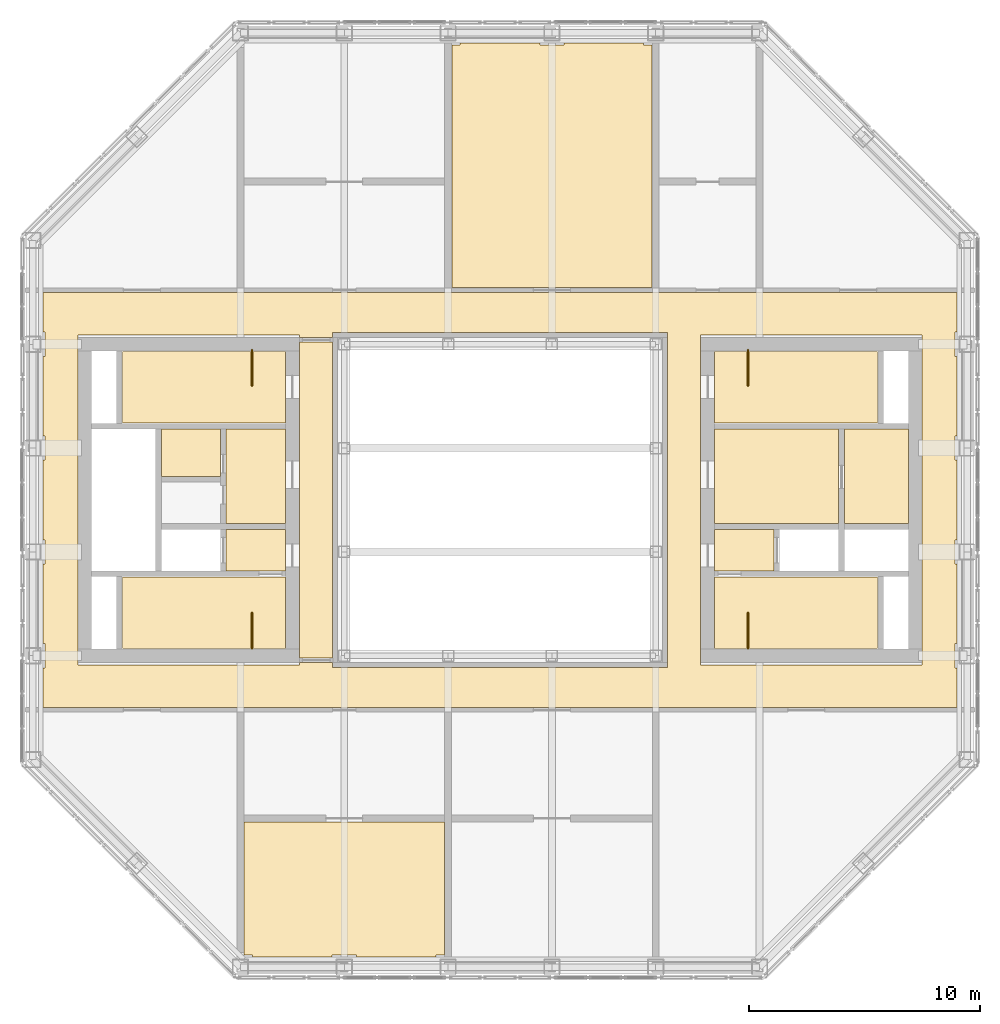
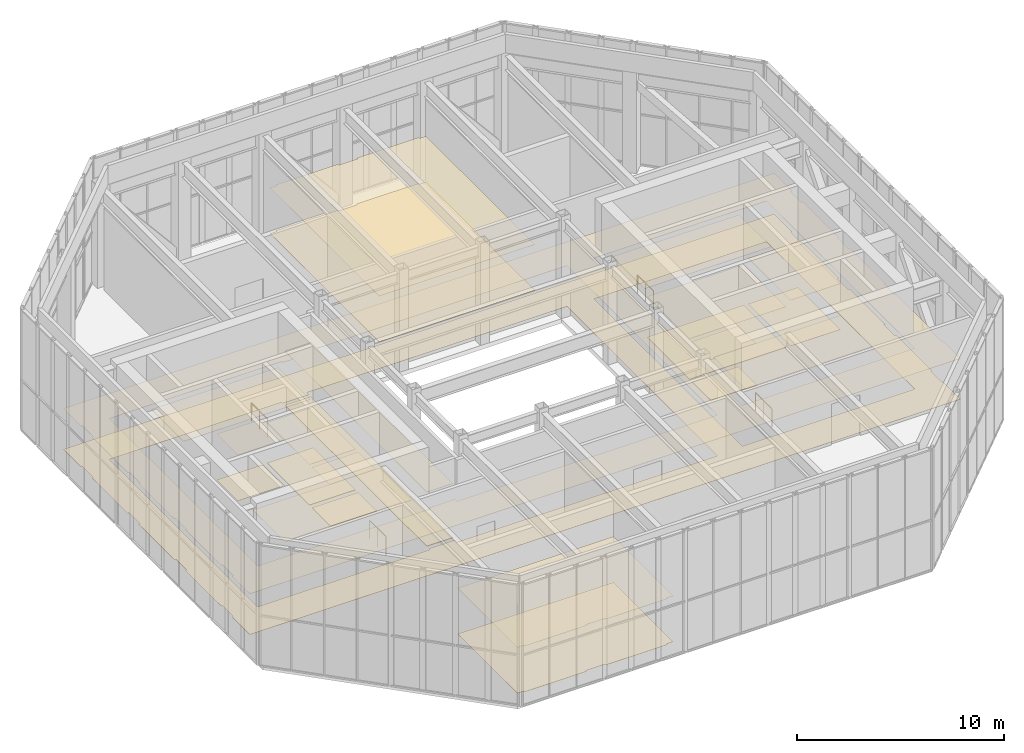
# One storey, part 15 of 15: 5 coverings, 4 railings.
"""IFC4 building model written with IfcOpenShell, lengths in metres."""

from ifc_helpers import new_model, si_unit, direction, frame, origin, origin_2d, place, context, subcontext, project, spatial, line, indexed_curve, circle, outline, extrude, material, layer, layer_set, type_object, element, save


model = new_model("IFC4")

# Units and contexts
model_context = context("Model", 3, precision=1e-05, world=origin(), true_north=direction((0.0, 1.0)))
body_context = subcontext(model_context, "Body", "Model", "MODEL_VIEW")
ifc_project = project(units=[si_unit("LENGTHUNIT", "METRE"), si_unit("AREAUNIT", "SQUARE_METRE"), si_unit("VOLUMEUNIT", "CUBIC_METRE"), si_unit("PLANEANGLEUNIT", "RADIAN"), si_unit("MASSUNIT", "GRAM", prefix="KILO")], contexts=[model_context])

# Site, building, storey
site_placement = place(None, origin())
site = spatial("IfcSite", under=ifc_project, at=site_placement, CompositionType="ELEMENT")
building_placement = place(site_placement, origin())
building = spatial("IfcBuilding", under=site, at=building_placement, Name="Msasa Ring Tower", CompositionType="ELEMENT")
storey_placement = place(building_placement, frame((0.0, 0.0, 268.050048828125)))
storey = spatial("IfcBuildingStorey", under=building, at=storey_placement, Name="L69", CompositionType="ELEMENT", Elevation=268.050048828125)

# Coverings
ifc_material_1 = material(Name="Gypsum plasterboard on a steel suspension grid", Category="steel")
ifc_layer_1 = layer(ifc_material_1, 0.014892578125)
ifc_layer_set_1 = layer_set([ifc_layer_1], Name="C1 SUSPENDED PLASTERBOARD CEILING 15")
covering_type_1 = type_object("IfcCoveringType", Name="C1 SUSPENDED PLASTERBOARD CEILING 15", PredefinedType="CEILING", material=ifc_layer_set_1)
covering_1_placement = place(storey_placement, frame((0.0, 0.0, 2.39990234375)))
element("IfcCovering", 1, at=covering_1_placement, inside=storey, type_object=covering_type_1, Name="Suspended Plasterboard Ceiling 15 circulation L69", PredefinedType="CEILING", context=body_context, shape_type="SweptSolid", body=[
    extrude(outline(indexed_curve([(19.799560546875, 7.275390625), (19.724609375, 7.275390625), (19.724609375, 6.224609375), (19.799560546875, 6.224609375), (19.799560546875, 2.775390625), (19.724609375, 2.775390625), (19.724609375, 1.724609375), (19.799560546875, 1.724609375), (19.799560546875, -1.724609375), (19.724609375, -1.724609375), (19.724609375, -2.775390625), (19.799560546875, -2.775390625), (19.799560546875, -6.224609375), (19.724609375, -6.224609375), (19.724609375, -7.275390625), (19.799560546875, -7.275390625), (19.799560546875, -8.99951171875), (-19.799560546875, -8.99951171875), (-19.799560546875, -7.275390625), (-19.724609375, -7.275390625), (-19.724609375, -6.224609375), (-19.799560546875, -6.224609375), (-19.799560546875, -2.775390625), (-19.724609375, -2.775390625), (-19.724609375, -1.724609375), (-19.799560546875, -1.724609375), (-19.799560546875, 1.724609375), (-19.724609375, 1.724609375), (-19.724609375, 2.775390625), (-19.799560546875, 2.775390625), (-19.799560546875, 6.224609375), (-19.724609375, 6.224609375), (-19.724609375, 7.275390625), (-19.799560546875, 7.275390625), (-19.799560546875, 8.99951171875), (19.799560546875, 8.99951171875)], segments=[line(1, 2, 3, 4, 5, 6, 7, 8, 9, 10, 11, 12, 13, 14, 15, 16, 17, 18, 19, 20, 21, 22, 23, 24, 25, 26, 27, 28, 29, 30, 31, 32, 33, 34, 35, 36, 1)], self_intersect=False), holes=[indexed_curve([(18.300537109375, -7.150390625), (18.300537109375, 7.150390625), (8.699462890625, 7.150390625), (8.699462890625, -7.150390625)], segments=[line(1, 2, 3, 4, 1)], self_intersect=False), indexed_curve([(-8.699462890625, 7.150390625), (-18.300537109375, 7.150390625), (-18.300537109375, -7.150390625), (-8.699462890625, -7.150390625), (-8.699462890625, -7.050537109375), (-7.25, -7.050537109375), (-7.25, -7.25048828125), (7.25, -7.25048828125), (7.25, 7.25048828125), (-7.25, 7.25048828125), (-7.25, 7.050537109375), (-8.699462890625, 7.050537109375)], segments=[line(1, 2, 3, 4, 5, 6, 7, 8, 9, 10, 11, 12, 1)], self_intersect=False)]), origin(), (0.0, 0.0, 1.0), 0.01513671875),
    extrude(outline(indexed_curve([(-9.300537109375, -3.074462890625), (-11.87451171875, -3.074462890625), (-11.87451171875, -1.275390625), (-9.300537109375, -1.275390625)], segments=[line(1, 2, 3, 4, 1)], self_intersect=False)), origin(), (0.0, 0.0, 1.0), 0.01513671875),
    extrude(outline(indexed_curve([(-11.87451171875, -1.0244140625), (-11.87451171875, 3.074462890625), (-9.300537109375, 3.074462890625), (-9.300537109375, -1.0244140625)], segments=[line(1, 2, 3, 4, 1)], self_intersect=False)), origin(), (0.0, 0.0, 1.0), 0.01513671875),
    extrude(outline(indexed_curve([(11.87451171875, -3.074462890625), (9.300537109375, -3.074462890625), (9.300537109375, -1.275390625), (11.87451171875, -1.275390625)], segments=[line(1, 2, 3, 4, 1)], self_intersect=False)), origin(), (0.0, 0.0, 1.0), 0.01513671875),
    extrude(outline(indexed_curve([(9.300537109375, -1.0244140625), (9.300537109375, 3.074462890625), (14.674560546875, 3.074462890625), (14.674560546875, -1.0244140625)], segments=[line(1, 2, 3, 4, 1)], self_intersect=False)), origin(), (0.0, 0.0, 1.0), 0.01513671875),
])
covering_2_placement = place(storey_placement, frame((0.0, 0.0, 3.199951171875)))
element("IfcCovering", 2, at=covering_2_placement, inside=storey, type_object=covering_type_1, Name="Suspended Plasterboard Ceiling 15 public rooms L69", PredefinedType="CEILING", context=body_context, shape_type="SweptSolid", body=[
    extrude(outline(indexed_curve([(-8.699462890625, 6.849609375), (-7.25048828125, 6.849609375), (-7.25048828125, -6.849609375), (-8.699462890625, -6.849609375)], segments=[line(1, 2, 3, 4, 1)], self_intersect=False)), origin(), (0.0, 0.0, 1.0), 0.014892578125),
])
covering_3_placement = place(storey_placement, frame((0.0, 0.0, 2.699951171875)))
element("IfcCovering", 3, at=covering_3_placement, inside=storey, type_object=covering_type_1, Name="Suspended Plasterboard Ceiling 15 L69", PredefinedType="CEILING", context=body_context, shape_type="SweptSolid", body=[
    extrude(outline(indexed_curve([(-16.369384765625, -6.444580078125), (-16.369384765625, -3.33056640625), (-9.305419921875, -3.33056640625), (-9.305419921875, -6.444580078125)], segments=[line(1, 2, 3, 4, 1)], self_intersect=False)), origin(), (0.0, 0.0, 1.0), 0.014892578125),
    extrude(outline(indexed_curve([(-16.369384765625, 3.33056640625), (-16.369384765625, 6.444580078125), (-9.305419921875, 6.444580078125), (-9.305419921875, 3.33056640625)], segments=[line(1, 2, 3, 4, 1)], self_intersect=False)), origin(), (0.0, 0.0, 1.0), 0.014892578125),
    extrude(outline(indexed_curve([(-14.674560546875, 3.074462890625), (-12.12548828125, 3.074462890625), (-12.12548828125, 1.025390625), (-14.674560546875, 1.025390625)], segments=[line(1, 2, 3, 4, 1)], self_intersect=False)), origin(), (0.0, 0.0, 1.0), 0.014892578125),
    extrude(outline(indexed_curve([(-11.089599609375, -13.96044921875), (-2.410400390625, -13.96044921875), (-2.410400390625, -19.724609375), (-2.775390625, -19.724609375), (-2.775390625, -19.799560546875), (-6.224609375, -19.799560546875), (-6.224609375, -19.724609375), (-7.275390625, -19.724609375), (-7.275390625, -19.799560546875), (-10.724609375, -19.799560546875), (-10.724609375, -19.724609375), (-11.089599609375, -19.724609375)], segments=[line(1, 2, 3, 4, 5, 6, 7, 8, 9, 10, 11, 12, 1)], self_intersect=False)), origin(), (0.0, 0.0, 1.0), 0.014892578125),
    extrude(outline(indexed_curve([(6.589599609375, 9.200439453125), (-2.089599609375, 9.200439453125), (-2.089599609375, 19.724609375), (-1.724609375, 19.724609375), (-1.724609375, 19.799560546875), (1.724609375, 19.799560546875), (1.724609375, 19.724609375), (2.775390625, 19.724609375), (2.775390625, 19.799560546875), (6.224609375, 19.799560546875), (6.224609375, 19.724609375), (6.589599609375, 19.724609375)], segments=[line(1, 2, 3, 4, 5, 6, 7, 8, 9, 10, 11, 12, 1)], self_intersect=False)), origin(), (0.0, 0.0, 1.0), 0.014892578125),
    extrude(outline(indexed_curve([(9.305419921875, -6.444580078125), (9.305419921875, -3.33056640625), (16.369384765625, -3.33056640625), (16.369384765625, -6.444580078125)], segments=[line(1, 2, 3, 4, 1)], self_intersect=False)), origin(), (0.0, 0.0, 1.0), 0.014892578125),
    extrude(outline(indexed_curve([(9.305419921875, 3.33056640625), (9.305419921875, 6.444580078125), (16.369384765625, 6.444580078125), (16.369384765625, 3.33056640625)], segments=[line(1, 2, 3, 4, 1)], self_intersect=False)), origin(), (0.0, 0.0, 1.0), 0.014892578125),
    extrude(outline(indexed_curve([(14.925537109375, -1.0244140625), (14.925537109375, 3.074462890625), (17.699462890625, 3.074462890625), (17.699462890625, -1.0244140625)], segments=[line(1, 2, 3, 4, 1)], self_intersect=False)), origin(), (0.0, 0.0, 1.0), 0.014892578125),
])
ifc_material_2 = material(Name="Honed granite tiles on a mortar bed", Category="masonry")
ifc_layer_2 = layer(ifc_material_2, 0.030029296875)
ifc_layer_set_2 = layer_set([ifc_layer_2], Name="F1 HONED GRANITE ON BEDDING 30")
covering_type_2 = type_object("IfcCoveringType", Name="F1 HONED GRANITE ON BEDDING 30", PredefinedType="FLOORING", material=ifc_layer_set_2)
covering_4_placement = place(storey_placement, origin())
element("IfcCovering", 4, at=covering_4_placement, inside=storey, type_object=covering_type_2, Name="Honed Granite On Bedding 30 L69", PredefinedType="FLOORING", context=body_context, shape_type="SweptSolid", body=[
    extrude(outline(indexed_curve([(-11.87451171875, -3.074462890625), (-11.87451171875, -1.275390625), (-9.300537109375, -1.275390625), (-9.300537109375, -3.074462890625)], segments=[line(1, 2, 3, 4, 1)], self_intersect=False)), origin(), (0.0, 0.0, 1.0), 0.030029296875),
    extrude(outline(indexed_curve([(-11.87451171875, 3.074462890625), (-9.300537109375, 3.074462890625), (-9.300537109375, -1.0244140625), (-11.87451171875, -1.0244140625)], segments=[line(1, 2, 3, 4, 1)], self_intersect=False)), origin(), (0.0, 0.0, 1.0), 0.030029296875),
    extrude(outline(indexed_curve([(-8.699462890625, -6.849609375), (-8.699462890625, 6.849609375), (-7.25048828125, 6.849609375), (-7.25048828125, -6.849609375)], segments=[line(1, 2, 3, 4, 1)], self_intersect=False)), origin(), (0.0, 0.0, 1.0), 0.030029296875),
    extrude(outline(indexed_curve([(9.300537109375, -3.074462890625), (9.300537109375, -1.275390625), (11.87451171875, -1.275390625), (11.87451171875, -3.074462890625)], segments=[line(1, 2, 3, 4, 1)], self_intersect=False)), origin(), (0.0, 0.0, 1.0), 0.030029296875),
    extrude(outline(indexed_curve([(9.300537109375, 3.074462890625), (14.674560546875, 3.074462890625), (14.674560546875, -1.0244140625), (9.300537109375, -1.0244140625)], segments=[line(1, 2, 3, 4, 1)], self_intersect=False)), origin(), (0.0, 0.0, 1.0), 0.030029296875),
])
ifc_material_3 = material(Name="Wool-blend carpet on felt underlay", Category="textile")
ifc_layer_3 = layer(ifc_material_3, 0.011962890625)
ifc_layer_set_3 = layer_set([ifc_layer_3], Name="F2 CARPET ON UNDERLAY 12")
covering_type_3 = type_object("IfcCoveringType", Name="F2 CARPET ON UNDERLAY 12", PredefinedType="FLOORING", material=ifc_layer_set_3)
covering_5_placement = place(storey_placement, origin())
element("IfcCovering", 5, at=covering_5_placement, inside=storey, type_object=covering_type_3, Name="Carpet On Underlay 12 L69", PredefinedType="FLOORING", context=body_context, shape_type="SweptSolid", body=[
    extrude(outline(indexed_curve([(19.799560546875, 7.275390625), (19.724609375, 7.275390625), (19.724609375, 6.224609375), (19.799560546875, 6.224609375), (19.799560546875, 2.775390625), (19.724609375, 2.775390625), (19.724609375, 1.724609375), (19.799560546875, 1.724609375), (19.799560546875, -1.724609375), (19.724609375, -1.724609375), (19.724609375, -2.775390625), (19.799560546875, -2.775390625), (19.799560546875, -6.224609375), (19.724609375, -6.224609375), (19.724609375, -7.275390625), (19.799560546875, -7.275390625), (19.799560546875, -8.99951171875), (-19.799560546875, -8.99951171875), (-19.799560546875, -7.275390625), (-19.724609375, -7.275390625), (-19.724609375, -6.224609375), (-19.799560546875, -6.224609375), (-19.799560546875, -2.775390625), (-19.724609375, -2.775390625), (-19.724609375, -1.724609375), (-19.799560546875, -1.724609375), (-19.799560546875, 1.724609375), (-19.724609375, 1.724609375), (-19.724609375, 2.775390625), (-19.799560546875, 2.775390625), (-19.799560546875, 6.224609375), (-19.724609375, 6.224609375), (-19.724609375, 7.275390625), (-19.799560546875, 7.275390625), (-19.799560546875, 8.99951171875), (19.799560546875, 8.99951171875)], segments=[line(1, 2, 3, 4, 5, 6, 7, 8, 9, 10, 11, 12, 13, 14, 15, 16, 17, 18, 19, 20, 21, 22, 23, 24, 25, 26, 27, 28, 29, 30, 31, 32, 33, 34, 35, 36, 1)], self_intersect=False), holes=[indexed_curve([(8.699462890625, 7.150390625), (8.699462890625, -7.150390625), (18.300537109375, -7.150390625), (18.300537109375, 7.150390625)], segments=[line(1, 2, 3, 4, 1)], self_intersect=False), indexed_curve([(-8.699462890625, 7.150390625), (-18.300537109375, 7.150390625), (-18.300537109375, -7.150390625), (-8.699462890625, -7.150390625), (-8.699462890625, -7.050537109375), (-7.25, -7.050537109375), (-7.25, -7.25048828125), (7.25, -7.25048828125), (7.25, 7.25048828125), (-7.25, 7.25048828125), (-7.25, 7.050537109375), (-8.699462890625, 7.050537109375)], segments=[line(1, 2, 3, 4, 5, 6, 7, 8, 9, 10, 11, 12, 1)], self_intersect=False)]), origin(), (0.0, 0.0, 1.0), 0.011962890625),
    extrude(outline(indexed_curve([(-14.674560546875, 3.074462890625), (-12.12548828125, 3.074462890625), (-12.12548828125, 1.025390625), (-14.674560546875, 1.025390625)], segments=[line(1, 2, 3, 4, 1)], self_intersect=False)), origin(), (0.0, 0.0, 1.0), 0.011962890625),
    extrude(outline(indexed_curve([(-11.089599609375, -13.96044921875), (-2.410400390625, -13.96044921875), (-2.410400390625, -19.724609375), (-2.775390625, -19.724609375), (-2.775390625, -19.799560546875), (-6.224609375, -19.799560546875), (-6.224609375, -19.724609375), (-7.275390625, -19.724609375), (-7.275390625, -19.799560546875), (-10.724609375, -19.799560546875), (-10.724609375, -19.724609375), (-11.089599609375, -19.724609375)], segments=[line(1, 2, 3, 4, 5, 6, 7, 8, 9, 10, 11, 12, 1)], self_intersect=False)), origin(), (0.0, 0.0, 1.0), 0.011962890625),
    extrude(outline(indexed_curve([(-2.089599609375, 19.724609375), (-1.724609375, 19.724609375), (-1.724609375, 19.799560546875), (1.724609375, 19.799560546875), (1.724609375, 19.724609375), (2.775390625, 19.724609375), (2.775390625, 19.799560546875), (6.224609375, 19.799560546875), (6.224609375, 19.724609375), (6.589599609375, 19.724609375), (6.589599609375, 9.200439453125), (-2.089599609375, 9.200439453125)], segments=[line(1, 2, 3, 4, 5, 6, 7, 8, 9, 10, 11, 12, 1)], self_intersect=False)), origin(), (0.0, 0.0, 1.0), 0.011962890625),
    extrude(outline(indexed_curve([(14.925537109375, 3.074462890625), (17.699462890625, 3.074462890625), (17.699462890625, -1.0244140625), (14.925537109375, -1.0244140625)], segments=[line(1, 2, 3, 4, 1)], self_intersect=False)), origin(), (0.0, 0.0, 1.0), 0.011962890625),
])

# Railings
ifc_material_4 = material(Name="Stainless steel", Category="steel")
railing_type = type_object("IfcRailingType", Name="GR1 GUARD 1100", PredefinedType="GUARDRAIL", material=ifc_material_4)
for number, where, name in (
    (6, (10.75, -6.449951171875, 0.0), "Guard at the head of stair SEA L69"),
    (7, (10.75, 4.949951171875, 0.0), "Guard at the head of stair SEB L69"),
    (8, (-10.75, -6.449951171875, 0.0), "Guard at the head of stair SWA L69"),
    (9, (-10.75, 4.949951171875, 0.0), "Guard at the head of stair SWB L69"),
):
    element("IfcRailing", number, at=place(storey_placement, frame(where)), inside=storey, type_object=railing_type, Name=name, PredefinedType="GUARDRAIL", context=body_context, shape_type="SweptSolid", body=[
        extrude(circle(Radius=0.02392578125, at=origin_2d()), frame((0.0, 0.0, 1.076171875), z_axis=(0.0, 1.0, 0.0), x_axis=(-1.0, 0.0, 0.0)), (0.0, 0.0, 1.0), 1.56005859375),
        extrude(circle(Radius=0.02099609375, at=origin_2d()), origin(), (0.0, 0.0, 1.0), 1.052001953125),
        extrude(circle(Radius=0.02099609375, at=origin_2d()), frame((0.0, 0.780029296875, 0.0)), (0.0, 0.0, 1.0), 1.052001953125),
        extrude(circle(Radius=0.02099609375, at=origin_2d()), frame((0.0, 1.56005859375, 0.0)), (0.0, 0.0, 1.0), 1.052001953125),
    ])

save(model, "model.ifc")
